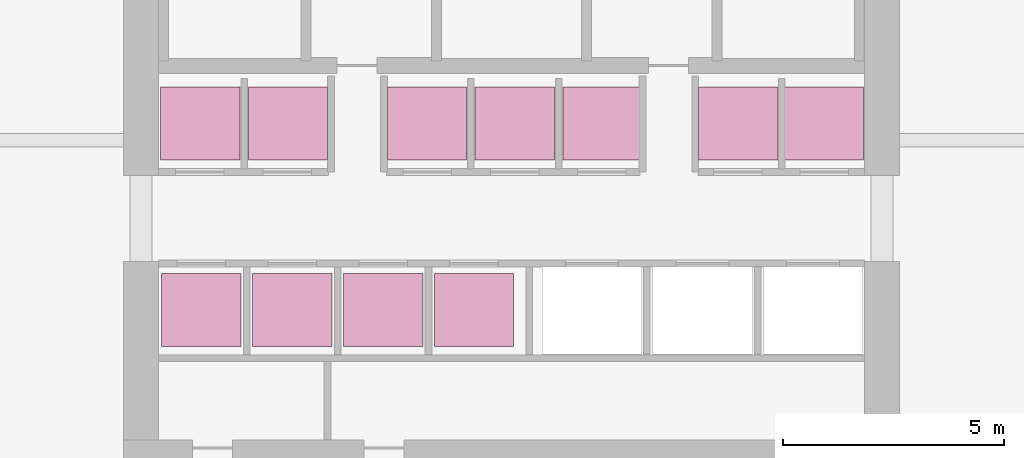
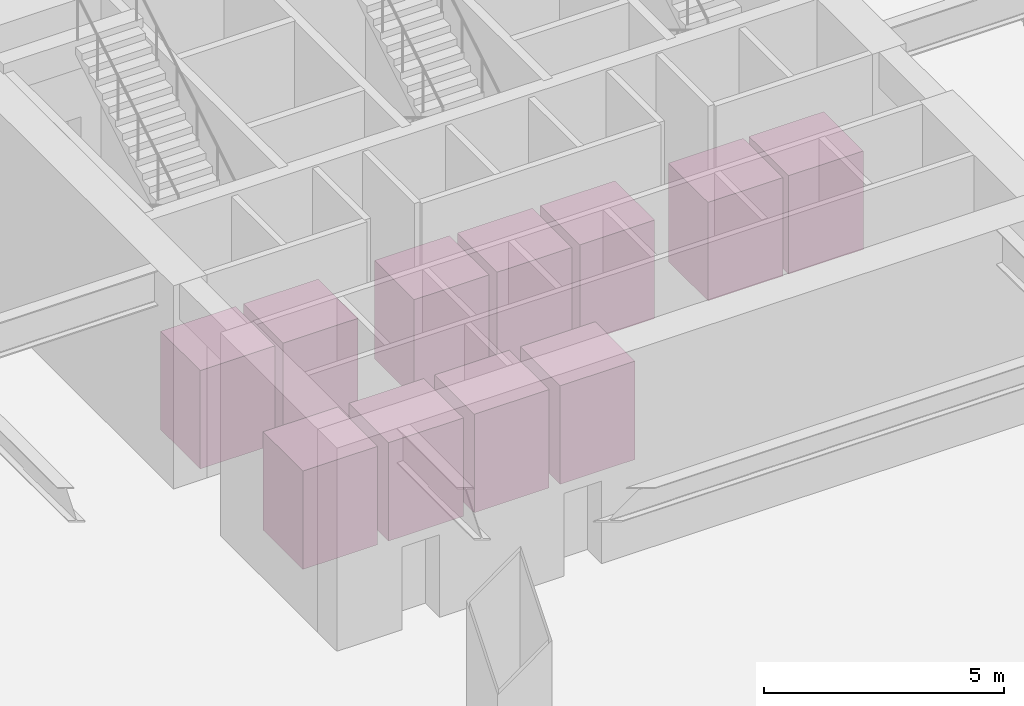
# One storey, part 20 of 20: 11 transport elements.
"""IFC4 building model written with IfcOpenShell, lengths in metres."""

from ifc_helpers import new_model, si_unit, direction, frame, origin, origin_2d, place, context, subcontext, project, spatial, rectangle, extrude, material, type_object, element, save


model = new_model("IFC4")

# Units and contexts
model_context = context("Model", 3, precision=1e-05, world=origin(), true_north=direction((0.0, 1.0)))
body_context = subcontext(model_context, "Body", "Model", "MODEL_VIEW")
ifc_project = project(units=[si_unit("LENGTHUNIT", "METRE"), si_unit("AREAUNIT", "SQUARE_METRE"), si_unit("VOLUMEUNIT", "CUBIC_METRE"), si_unit("PLANEANGLEUNIT", "RADIAN"), si_unit("MASSUNIT", "GRAM", prefix="KILO")], contexts=[model_context])

# Site, building, storey
site_placement = place(None, origin())
site = spatial("IfcSite", under=ifc_project, at=site_placement, CompositionType="ELEMENT")
building_placement = place(site_placement, origin())
building = spatial("IfcBuilding", under=site, at=building_placement, Name="Haolan Belvedere Tower", CompositionType="ELEMENT")
storey_placement = place(building_placement, origin())
storey = spatial("IfcBuildingStorey", under=building, at=storey_placement, Name="L00", CompositionType="ELEMENT", Elevation=0.0)

# Transport elements
ifc_material = material(Name="Brushed champagne stainless steel and laminated glass cab", Category="steel")
transport_element_type = type_object("IfcTransportElementType", Name="LFT-PASS-1600", PredefinedType="ELEVATOR", material=ifc_material)
for number, where, z_axis, x_axis, name in (
    (1, (31.344970703125, 33.97509765625, 0.0), (0.0, 0.0, 1.0), (1.0, 0.0, 0.0), "Passenger elevator car PL1"),
    (2, (33.3349609375, 33.97509765625, 0.0), (0.0, 0.0, 1.0), (1.0, 0.0, 0.0), "Passenger elevator car PL2"),
    (3, (36.485107421875, 33.97509765625, 0.0), (0.0, 0.0, 1.0), (1.0, 0.0, 0.0), "Passenger elevator car PL3"),
    (4, (38.47509765625, 33.97509765625, 0.0), (0.0, 0.0, 1.0), (1.0, 0.0, 0.0), "Passenger elevator car PL4"),
    (5, (40.465087890625, 33.97509765625, 0.0), (0.0, 0.0, 1.0), (1.0, 0.0, 0.0), "Passenger elevator car PH1"),
    (6, (43.544921875, 33.97509765625, 0.0), (0.0, 0.0, 1.0), (1.0, 0.0, 0.0), "Passenger elevator car PH2"),
    (7, (45.47998046875, 33.97509765625, 0.0), (0.0, 0.0, 1.0), (1.0, 0.0, 0.0), "Passenger elevator car PH3"),
    (8, (31.3701171875, 29.75, 0.0), (0.0, 0.0, 1.0), (1.0, 0.0, 0.0), "Passenger elevator car PM1"),
    (9, (33.429931640625, 29.75, 0.0), (0.0, 0.0, 1.0), (1.0, 0.0, 0.0), "Passenger elevator car PM2"),
    (10, (35.489990234375, 29.75, 0.0), (0.0, 0.0, 1.0), (1.0, 0.0, 0.0), "Passenger elevator car PM3"),
    (11, (37.550048828125, 29.75, 0.0), (0.0, 0.0, 1.0), (1.0, 0.0, 0.0), "Passenger elevator car PM4"),
):
    element("IfcTransportElement", number, at=place(storey_placement, frame(where, z_axis=z_axis, x_axis=x_axis)), inside=storey, type_object=transport_element_type, Name=name, PredefinedType="ELEVATOR", context=body_context, shape_type="SweptSolid", body=[
        extrude(rectangle(XDim=1.800048828125, YDim=1.64990234375, at=origin_2d()), origin(), (0.0, 0.0, 1.0), 2.5),
    ])

save(model, "model.ifc")
